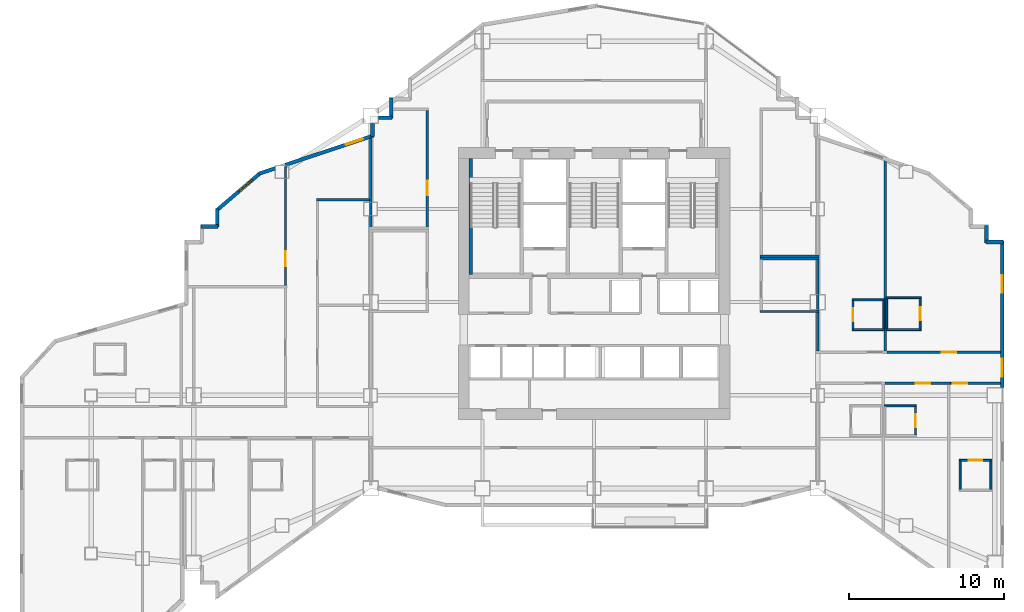
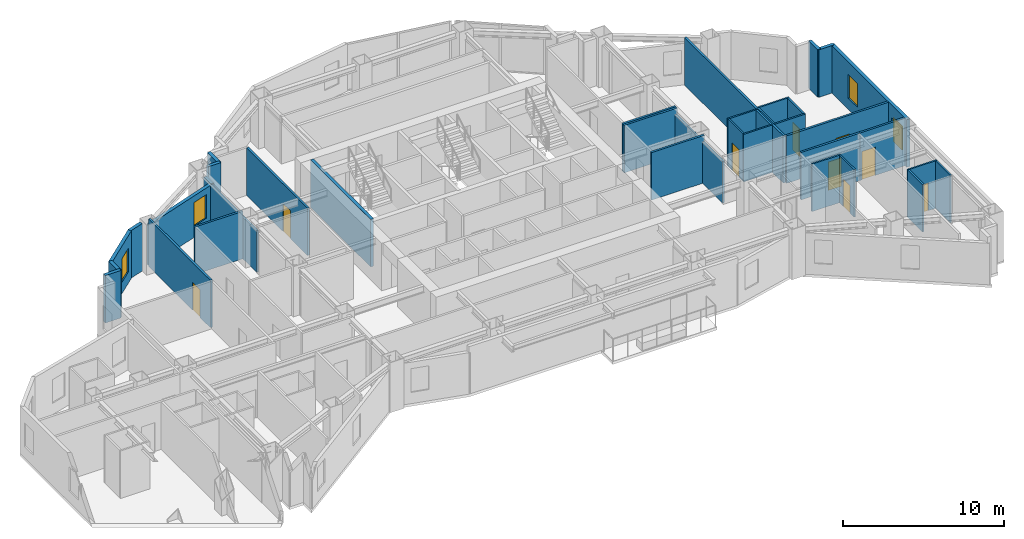
# One storey, part 9 of 13: 38 walls, 9 doors, 4 windows, 13 openings.
"""IFC4 building model written with IfcOpenShell, lengths in metres."""

from ifc_helpers import new_model, si_unit, direction, frame, frame_2d, origin, place, context, subcontext, project, spatial, rectangle, extrude, material, layer, layer_set, type_object, element, fill, save


model = new_model("IFC4")

# Units and contexts
model_context = context("Model", 3, precision=1e-05, world=origin(), true_north=direction((0.0, 1.0)))
body_context = subcontext(model_context, "Body", "Model", "MODEL_VIEW")
ifc_project = project(units=[si_unit("LENGTHUNIT", "METRE"), si_unit("AREAUNIT", "SQUARE_METRE"), si_unit("VOLUMEUNIT", "CUBIC_METRE"), si_unit("PLANEANGLEUNIT", "RADIAN"), si_unit("MASSUNIT", "GRAM", prefix="KILO")], contexts=[model_context])

# Site, building, storey
site_placement = place(None, origin())
site = spatial("IfcSite", under=ifc_project, at=site_placement, CompositionType="ELEMENT")
building_placement = place(site_placement, origin())
building = spatial("IfcBuilding", under=site, at=building_placement, Name="Haolan Belvedere Tower", CompositionType="ELEMENT")
storey_placement = place(building_placement, frame((0.0, 0.0, 128.800048828125)))
storey = spatial("IfcBuildingStorey", under=building, at=storey_placement, Name="L32", CompositionType="ELEMENT", Elevation=128.800048828125)

# Wall, openings, windows
ifc_material_1 = material(Name="Precast concrete C40/50", Category="concrete")
ifc_layer_1 = layer(ifc_material_1, 0.239990234375, Name="Precast concrete C40/50")
ifc_layer_set_1 = layer_set([ifc_layer_1], Name="Precast concrete C40/50")
wall_type_1 = type_object("IfcWallType", Name="WL-EXT-240", PredefinedType="SOLIDWALL", material=ifc_layer_set_1)
wall_1_placement = place(storey_placement, frame((64.679931640625, 28.092041015625, 0.0), z_axis=(0.0, 0.0, 1.0), x_axis=(0.0, 1.0, 0.0)))
wall_1 = element("IfcWall", 1, at=wall_1_placement, inside=storey, type_object=wall_type_1, Name="L32 pale-metal exterior spandrel wall 14.2", PredefinedType="SOLIDWALL", context=body_context, shape_type="SweptSolid", body=[
    extrude(rectangle(XDim=9.44287109375, YDim=0.239990234375, at=frame_2d((4.721435546875, 0.0))), origin(), (0.0, 0.0, 1.0), 3.599853515625),
])
opening_1_placement = place(wall_1_placement, frame((0.699951171875, 0.0, 0.85009765625)))
opening_1 = element("IfcOpeningElement", 2, at=opening_1_placement, cuts=wall_1, Name="Opening W-02", PredefinedType="OPENING", context=body_context, shape_type="SweptSolid", body=[
    extrude(rectangle(XDim=1.14990234375, YDim=1.800048828125, at=frame_2d((0.574951171875, 0.89990234375))), frame((0.0, 0.1298828125, 0.0), z_axis=(0.0, -1.0, 0.0), x_axis=(1.0, 0.0, 0.0)), (0.0, 0.0, 1.0), 0.260009765625),
])
opening_2_placement = place(wall_1_placement, frame((6.10009765625, 0.0, 0.85009765625)))
opening_2 = element("IfcOpeningElement", 3, at=opening_2_placement, cuts=wall_1, Name="Opening W-02", PredefinedType="OPENING", context=body_context, shape_type="SweptSolid", body=[
    extrude(rectangle(XDim=1.14990234375, YDim=1.800048828125, at=frame_2d((0.574951171875, 0.89990234375))), frame((0.0, 0.1298828125, 0.0), z_axis=(0.0, -1.0, 0.0), x_axis=(1.0, 0.0, 0.0)), (0.0, 0.0, 1.0), 0.260009765625),
])
ifc_material_2 = material(Name="Anodised aluminium 6063-T6 and Low-E glass", Category="aluminium")
window_type = type_object("IfcWindowType", Name="WN-DECO-Z2", PartitioningType="SINGLE_PANEL", PredefinedType="WINDOW", material=ifc_material_2)
window_1_placement = place(opening_1_placement, origin())
window_1 = element("IfcWindow", 4, at=window_1_placement, inside=storey, type_object=window_type, Name="L32 Art Deco chevron window 1", OverallHeight=1.800048828125, OverallWidth=1.14990234375, PartitioningType="SINGLE_PANEL", PredefinedType="WINDOW", context=body_context, shape_type="SweptSolid", body=[
    extrude(rectangle(XDim=1.14990234375, YDim=1.800048828125, at=frame_2d((0.574951171875, 0.89990234375))), frame((0.0, 0.030029296875, 0.0), z_axis=(0.0, -1.0, 0.0), x_axis=(1.0, 0.0, 0.0)), (0.0, 0.0, 1.0), 0.06005859375),
])
fill(opening_1, window_1)
window_2_placement = place(opening_2_placement, origin())
window_2 = element("IfcWindow", 5, at=window_2_placement, inside=storey, type_object=window_type, Name="L32 Art Deco chevron window 2", OverallHeight=1.800048828125, OverallWidth=1.14990234375, PartitioningType="SINGLE_PANEL", PredefinedType="WINDOW", context=body_context, shape_type="SweptSolid", body=[
    extrude(rectangle(XDim=1.14990234375, YDim=1.800048828125, at=frame_2d((0.574951171875, 0.89990234375))), frame((0.0, 0.030029296875, 0.0), z_axis=(0.0, -1.0, 0.0), x_axis=(1.0, 0.0, 0.0)), (0.0, 0.0, 1.0), 0.06005859375),
])
fill(opening_2, window_2)

# Walls
wall_2_placement = place(storey_placement, frame((64.735107421875, 37.47998046875, 0.0), z_axis=(0.0, 0.0, 1.0), x_axis=(-1.0, 0.0, 0.0)))
element("IfcWall", 6, at=wall_2_placement, inside=storey, type_object=wall_type_1, Name="L32 pale-metal exterior spandrel wall 15.1", PredefinedType="SOLIDWALL", context=body_context, shape_type="SweptSolid", body=[
    extrude(rectangle(XDim=1.110107421875, YDim=0.239990234375, at=frame_2d((0.55517578125, 0.0))), origin(), (0.0, 0.0, 1.0), 3.599853515625),
])
wall_3_placement = place(storey_placement, frame((63.679931640625, 37.425048828125, 0.0), z_axis=(0.0, 0.0, 1.0), x_axis=(0.0, 1.0, 0.0)))
element("IfcWall", 7, at=wall_3_placement, inside=storey, type_object=wall_type_1, Name="L32 pale-metal exterior spandrel wall 16.1", PredefinedType="SOLIDWALL", context=body_context, shape_type="SweptSolid", body=[
    extrude(rectangle(XDim=1.10986328125, YDim=0.239990234375, at=frame_2d((0.554931640625, 0.0))), origin(), (0.0, 0.0, 1.0), 3.599853515625),
])
wall_4_placement = place(storey_placement, frame((25.320068359375, 46.735107421875, 0.0), z_axis=(0.0, 0.0, 1.0), x_axis=(0.0, -1.0, 0.0)))
element("IfcWall", 8, at=wall_4_placement, inside=storey, type_object=wall_type_1, Name="L32 pale-metal exterior spandrel wall 32.1", PredefinedType="SOLIDWALL", context=body_context, shape_type="SweptSolid", body=[
    extrude(rectangle(XDim=1.31005859375, YDim=0.239990234375, at=frame_2d((0.655029296875, 0.0))), origin(), (0.0, 0.0, 1.0), 3.599853515625),
])
wall_5_placement = place(storey_placement, frame((25.375, 45.47998046875, 0.0), z_axis=(0.0, 0.0, 1.0), x_axis=(-1.0, 0.0, 0.0)))
element("IfcWall", 9, at=wall_5_placement, inside=storey, type_object=wall_type_1, Name="L32 pale-metal exterior spandrel wall 33.1", PredefinedType="SOLIDWALL", context=body_context, shape_type="SweptSolid", body=[
    extrude(rectangle(XDim=0.883056640625, YDim=0.239990234375, at=frame_2d((0.44140625, 0.0))), origin(), (0.0, 0.0, 1.0), 3.599853515625),
])
wall_6_placement = place(storey_placement, frame((24.1201171875, 45.10791015625, 0.0), z_axis=(0.0, 0.0, 1.0), x_axis=(0.0, -1.0, 0.0)))
element("IfcWall", 10, at=wall_6_placement, inside=storey, type_object=wall_type_1, Name="L32 pale-metal exterior spandrel wall 34.1", PredefinedType="SOLIDWALL", context=body_context, shape_type="SweptSolid", body=[
    extrude(rectangle(XDim=0.849365234375, YDim=0.239990234375, at=frame_2d((0.4248046875, 0.0))), origin(), (0.0, 0.0, 1.0), 3.14501953125),
])

# Wall, opening, window
wall_7_placement = place(storey_placement, frame((24.172119140625, 44.330810546875, 0.0), z_axis=(0.0, 0.0, 1.0), x_axis=(-0.948683298051, -0.316227766017, 0.0)))
wall_7 = element("IfcWall", 11, at=wall_7_placement, inside=storey, type_object=wall_type_1, Name="L32 pale-metal exterior spandrel wall 35.1", PredefinedType="SOLIDWALL", context=body_context, shape_type="SweptSolid", body=[
    extrude(rectangle(XDim=5.973388671875, YDim=0.239990234375, at=frame_2d((2.98681640625, 0.0))), origin(), (0.0, 0.0, 1.0), 3.14501953125),
])
opening_3_placement = place(wall_7_placement, frame((0.699951171875, 0.0, 0.85009765625)))
opening_3 = element("IfcOpeningElement", 12, at=opening_3_placement, cuts=wall_7, Name="Opening W-02", PredefinedType="OPENING", context=body_context, shape_type="SweptSolid", body=[
    extrude(rectangle(XDim=1.14990234375, YDim=1.800048828125, at=frame_2d((0.574951171875, 0.89990234375))), frame((0.0, 0.1298828125, 0.0), z_axis=(0.0, -1.0, 0.0), x_axis=(1.0, 0.0, 0.0)), (0.0, 0.0, 1.0), 0.260009765625),
])
window_3_placement = place(opening_3_placement, origin())
window_3 = element("IfcWindow", 13, at=window_3_placement, inside=storey, type_object=window_type, Name="L32 Art Deco chevron window 1", OverallHeight=1.800048828125, OverallWidth=1.14990234375, PartitioningType="SINGLE_PANEL", PredefinedType="WINDOW", context=body_context, shape_type="SweptSolid", body=[
    extrude(rectangle(XDim=1.14990234375, YDim=1.800048828125, at=frame_2d((0.574951171875, 0.89990234375))), frame((0.0, 0.030029296875, 0.0), z_axis=(0.0, -1.0, 0.0), x_axis=(1.0, 0.0, 0.0)), (0.0, 0.0, 1.0), 0.06005859375),
])
fill(opening_3, window_3)

# Wall
wall_8_placement = place(storey_placement, frame((17.85791015625, 42.226318359375, 0.0), z_axis=(0.0, 0.0, 1.0), x_axis=(-0.948639166064, -0.316360131194, 0.0)))
element("IfcWall", 14, at=wall_8_placement, inside=storey, type_object=wall_type_1, Name="L32 pale-metal exterior spandrel wall 35.2", PredefinedType="SOLIDWALL", context=body_context, shape_type="SweptSolid", body=[
    extrude(rectangle(XDim=1.106689453125, YDim=0.239990234375, at=frame_2d((0.55322265625, 0.0))), origin(), (0.0, 0.0, 1.0), 3.599853515625),
])

# Wall, opening, window
wall_9_placement = place(storey_placement, frame((16.902099609375, 41.929443359375, 0.0), z_axis=(0.0, 0.0, 1.0), x_axis=(-0.759275136126, -0.650769750112, 0.0)))
wall_9 = element("IfcWall", 15, at=wall_9_placement, inside=storey, type_object=wall_type_1, Name="L32 pale-metal exterior spandrel wall 36.1", PredefinedType="SOLIDWALL", context=body_context, shape_type="SweptSolid", body=[
    extrude(rectangle(XDim=3.71923828125, YDim=0.239990234375, at=frame_2d((1.859619140625, 0.0))), origin(), (0.0, 0.0, 1.0), 3.599853515625),
])
opening_4_placement = place(wall_9_placement, frame((0.699951171875, 0.0, 0.85009765625)))
opening_4 = element("IfcOpeningElement", 16, at=opening_4_placement, cuts=wall_9, Name="Opening W-02", PredefinedType="OPENING", context=body_context, shape_type="SweptSolid", body=[
    extrude(rectangle(XDim=1.14990234375, YDim=1.800048828125, at=frame_2d((0.574951171875, 0.89990234375))), frame((0.0, 0.1298828125, 0.0), z_axis=(0.0, -1.0, 0.0), x_axis=(1.0, 0.0, 0.0)), (0.0, 0.0, 1.0), 0.260009765625),
])
window_4_placement = place(opening_4_placement, origin())
window_4 = element("IfcWindow", 17, at=window_4_placement, inside=storey, type_object=window_type, Name="L32 Art Deco chevron window 1", OverallHeight=1.800048828125, OverallWidth=1.14990234375, PartitioningType="SINGLE_PANEL", PredefinedType="WINDOW", context=body_context, shape_type="SweptSolid", body=[
    extrude(rectangle(XDim=1.14990234375, YDim=1.800048828125, at=frame_2d((0.574951171875, 0.89990234375))), frame((0.0, 0.030029296875, 0.0), z_axis=(0.0, -1.0, 0.0), x_axis=(1.0, 0.0, 0.0)), (0.0, 0.0, 1.0), 0.06005859375),
])
fill(opening_4, window_4)

# Walls
wall_10_placement = place(storey_placement, frame((14.1201171875, 39.599853515625, 0.0), z_axis=(0.0, 0.0, 1.0), x_axis=(0.0, -1.0, 0.0)))
element("IfcWall", 18, at=wall_10_placement, inside=storey, type_object=wall_type_1, Name="L32 pale-metal exterior spandrel wall 37.1", PredefinedType="SOLIDWALL", context=body_context, shape_type="SweptSolid", body=[
    extrude(rectangle(XDim=1.1748046875, YDim=0.239990234375, at=frame_2d((0.58740234375, 0.0))), origin(), (0.0, 0.0, 1.0), 3.599853515625),
])
wall_11_placement = place(storey_placement, frame((14.175048828125, 38.47998046875, 0.0), z_axis=(0.0, 0.0, 1.0), x_axis=(-1.0, 0.0, 0.0)))
element("IfcWall", 19, at=wall_11_placement, inside=storey, type_object=wall_type_1, Name="L32 pale-metal exterior spandrel wall 38.1", PredefinedType="SOLIDWALL", context=body_context, shape_type="SweptSolid", body=[
    extrude(rectangle(XDim=1.110107421875, YDim=0.239990234375, at=frame_2d((0.55517578125, 0.0))), origin(), (0.0, 0.0, 1.0), 3.599853515625),
])
ifc_material_3 = material(Name="Double gypsum acoustic stud partition", Category="masonry")
ifc_layer_2 = layer(ifc_material_3, 0.14990234375, Name="Double gypsum acoustic stud partition")
ifc_layer_set_2 = layer_set([ifc_layer_2], Name="Double gypsum acoustic stud partition")
wall_type_2 = type_object("IfcWallType", Name="WL-PART-150", PredefinedType="PARTITIONING", material=ifc_layer_set_2)
wall_12_placement = place(storey_placement, frame((24.0, 38.419921875, 0.0), z_axis=(0.0, 0.0, 1.0), x_axis=(0.0, 1.0, 0.0)))
element("IfcWall", 20, at=wall_12_placement, inside=storey, type_object=wall_type_2, Name="L32 interior partition IW-L32-VLT-W", PredefinedType="PARTITIONING", context=body_context, shape_type="SweptSolid", body=[
    extrude(rectangle(XDim=5.742919921875, YDim=0.14990234375, at=frame_2d((2.87158203125, 0.0))), origin(), (0.0, 0.0, 1.0), 3.14501953125),
])

# Wall, opening, door
wall_13_placement = place(storey_placement, frame((27.639892578125, 38.419921875, 0.0), z_axis=(0.0, 0.0, 1.0), x_axis=(0.0, 1.0, 0.0)))
wall_13 = element("IfcWall", 21, at=wall_13_placement, inside=storey, type_object=wall_type_2, Name="L32 interior partition IW-L32-VLT-E", PredefinedType="PARTITIONING", context=body_context, shape_type="SweptSolid", body=[
    extrude(rectangle(XDim=7.5400390625, YDim=0.14990234375, at=frame_2d((3.77001953125, 0.0))), origin(), (0.0, 0.0, 1.0), 3.599853515625),
])
opening_5_placement = place(wall_13_placement, frame((3.010009765625, 0.0, 0.0), z_axis=(0.0, 0.0, 1.0), x_axis=(-1.0, 0.0, 0.0)))
opening_5 = element("IfcOpeningElement", 22, at=opening_5_placement, cuts=wall_13, Name="Opening ID-03", PredefinedType="OPENING", context=body_context, shape_type="SweptSolid", body=[
    extrude(rectangle(XDim=0.949951171875, YDim=2.1201171875, at=frame_2d((0.47509765625, 1.06005859375))), frame((0.0, 0.0849609375, 0.0), z_axis=(0.0, -1.0, 0.0), x_axis=(1.0, 0.0, 0.0)), (0.0, 0.0, 1.0), 0.169921875),
])
ifc_material_4 = material(Name="Painted solid-core timber", Category="wood")
door_type_1 = type_object("IfcDoorType", Name="DR-INT-950", OperationType="NOTDEFINED", PredefinedType="DOOR", material=ifc_material_4)
door_1_placement = place(opening_5_placement, origin())
door_1 = element("IfcDoor", 23, at=door_1_placement, inside=storey, type_object=door_type_1, Name="L32 door ID-L32-VLT", OperationType="SINGLE_SWING_RIGHT", OverallHeight=2.1201171875, OverallWidth=0.949951171875, PredefinedType="DOOR", context=body_context, shape_type="SweptSolid", body=[
    extrude(rectangle(XDim=0.949951171875, YDim=2.1201171875, at=frame_2d((0.47509765625, 1.06005859375))), frame((0.0, 0.02490234375, 0.0), z_axis=(0.0, -1.0, 0.0), x_axis=(1.0, 0.0, 0.0)), (0.0, 0.0, 1.0), 0.050048828125),
])
fill(opening_5, door_1)

# Walls
for number, where, z_axis, x_axis, name in (
    (24, (49.080078125, 36.39990234375, 0.0), (0.0, 0.0, 1.0), (1.0, 0.0, 0.0), "L32 interior partition IW-L32-AWC-N"),
    (25, (49.080078125, 33.0, 0.0), (0.0, 0.0, 1.0), (1.0, 0.0, 0.0), "L32 interior partition IW-L32-AWC-S"),
):
    element("IfcWall", number, at=place(storey_placement, frame(where, z_axis=z_axis, x_axis=x_axis)), inside=storey, type_object=wall_type_2, Name=name, PredefinedType="PARTITIONING", context=body_context, shape_type="SweptSolid", body=[
        extrude(rectangle(XDim=3.7998046875, YDim=0.14990234375, at=frame_2d((1.89990234375, 0.0))), origin(), (0.0, 0.0, 1.0), 3.599853515625),
    ])
wall_14_placement = place(storey_placement, frame((52.800048828125, 33.06005859375, 0.0), z_axis=(0.0, 0.0, 1.0), x_axis=(0.0, 1.0, 0.0)))
element("IfcWall", 26, at=wall_14_placement, inside=storey, type_object=wall_type_2, Name="L32 interior partition IW-L32-AWC-E", PredefinedType="PARTITIONING", context=body_context, shape_type="SweptSolid", body=[
    extrude(rectangle(XDim=3.280029296875, YDim=0.14990234375, at=frame_2d((1.64013671875, 0.0))), origin(), (0.0, 0.0, 1.0), 3.14501953125),
])
wall_15_placement = place(storey_placement, frame((49.080078125, 36.56005859375, 0.0), z_axis=(0.0, 0.0, 1.0), x_axis=(1.0, 0.0, 0.0)))
element("IfcWall", 27, at=wall_15_placement, inside=storey, type_object=wall_type_2, Name="L32 interior partition IW-L32-SAL-S", PredefinedType="PARTITIONING", context=body_context, shape_type="SweptSolid", body=[
    extrude(rectangle(XDim=3.7998046875, YDim=0.14990234375, at=frame_2d((1.89990234375, 0.0))), origin(), (0.0, 0.0, 1.0), 3.599853515625),
])

# Wall, opening, door
wall_16_placement = place(storey_placement, frame((18.52001953125, 34.659912109375, 0.0), z_axis=(0.0, 0.0, 1.0), x_axis=(0.0, 1.0, 0.0)))
wall_16 = element("IfcWall", 28, at=wall_16_placement, inside=storey, type_object=wall_type_2, Name="L32 interior partition IW-L32-T2W2-E", PredefinedType="PARTITIONING", context=body_context, shape_type="SweptSolid", body=[
    extrude(rectangle(XDim=7.67626953125, YDim=0.14990234375, at=frame_2d((3.838134765625, 0.0))), origin(), (0.0, 0.0, 1.0), 3.599853515625),
])
opening_6_placement = place(wall_16_placement, frame((2.21484375, 0.0, 0.0), z_axis=(0.0, 0.0, 1.0), x_axis=(-1.0, 0.0, 0.0)))
opening_6 = element("IfcOpeningElement", 29, at=opening_6_placement, cuts=wall_16, Name="Opening ID-03", PredefinedType="OPENING", context=body_context, shape_type="SweptSolid", body=[
    extrude(rectangle(XDim=0.949951171875, YDim=2.1201171875, at=frame_2d((0.47509765625, 1.06005859375))), frame((0.0, 0.0849609375, 0.0), z_axis=(0.0, -1.0, 0.0), x_axis=(1.0, 0.0, 0.0)), (0.0, 0.0, 1.0), 0.169921875),
])
door_2_placement = place(opening_6_placement, origin())
door_2 = element("IfcDoor", 30, at=door_2_placement, inside=storey, type_object=door_type_1, Name="L32 door ID-L32-T2W2", OperationType="SINGLE_SWING_LEFT", OverallHeight=2.1201171875, OverallWidth=0.949951171875, PredefinedType="DOOR", context=body_context, shape_type="SweptSolid", body=[
    extrude(rectangle(XDim=0.949951171875, YDim=2.1201171875, at=frame_2d((0.47509765625, 1.06005859375))), frame((0.0, 0.02490234375, 0.0), z_axis=(0.0, -1.0, 0.0), x_axis=(1.0, 0.0, 0.0)), (0.0, 0.0, 1.0), 0.050048828125),
])
fill(opening_6, door_2)

# Walls
wall_17_placement = place(storey_placement, frame((20.5, 40.199951171875, 0.0), z_axis=(0.0, 0.0, 1.0), x_axis=(1.0, 0.0, 0.0)))
element("IfcWall", 31, at=wall_17_placement, inside=storey, type_object=wall_type_2, Name="L32 interior partition IW-L32-T2E2-N", PredefinedType="PARTITIONING", context=body_context, shape_type="SweptSolid", body=[
    extrude(rectangle(XDim=3.43994140625, YDim=0.14990234375, at=frame_2d((1.719970703125, 0.0))), origin(), (0.0, 0.0, 1.0), 3.599853515625),
])
wall_18_placement = place(storey_placement, frame((52.800048828125, 30.43994140625, 0.0), z_axis=(0.0, 0.0, 1.0), x_axis=(0.0, 1.0, 0.0)))
element("IfcWall", 32, at=wall_18_placement, inside=storey, type_object=wall_type_2, Name="L32 interior partition IW-L32-T4N1-W", PredefinedType="PARTITIONING", context=body_context, shape_type="SweptSolid", body=[
    extrude(rectangle(XDim=2.5, YDim=0.14990234375, at=frame_2d((1.25, 0.0))), origin(), (0.0, 0.0, 1.0), 3.14501953125),
])
wall_19_placement = place(storey_placement, frame((57.14990234375, 30.43994140625, 0.0), z_axis=(0.0, 0.0, 1.0), x_axis=(0.0, 1.0, 0.0)))
element("IfcWall", 33, at=wall_19_placement, inside=storey, type_object=wall_type_2, Name="L32 interior partition IW-L32-T4N1-E", PredefinedType="PARTITIONING", context=body_context, shape_type="SweptSolid", body=[
    extrude(rectangle(XDim=12.27294921875, YDim=0.14990234375, at=frame_2d((6.136474609375, 0.0))), origin(), (0.0, 0.0, 1.0), 3.599853515625),
])

# Wall, opening, door
wall_20_placement = place(storey_placement, frame((57.251953125, 30.3798828125, 0.0), z_axis=(0.0, 0.0, 1.0), x_axis=(1.0, 0.0, 0.0)))
wall_20 = element("IfcWall", 34, at=wall_20_placement, inside=storey, type_object=wall_type_2, Name="L32 interior partition IW-L32-T4N2-S", PredefinedType="PARTITIONING", context=body_context, shape_type="SweptSolid", body=[
    extrude(rectangle(XDim=7.322998046875, YDim=0.14990234375, at=frame_2d((3.66162109375, 0.0))), origin(), (0.0, 0.0, 1.0), 3.599853515625),
])
opening_7_placement = place(wall_20_placement, frame((3.53662109375, 0.0, 0.0)))
opening_7 = element("IfcOpeningElement", 35, at=opening_7_placement, cuts=wall_20, Name="Opening ID-01", PredefinedType="OPENING", context=body_context, shape_type="SweptSolid", body=[
    extrude(rectangle(XDim=0.949951171875, YDim=2.179931640625, at=frame_2d((0.47509765625, 1.08984375))), frame((0.0, 0.0849609375, 0.0), z_axis=(0.0, -1.0, 0.0), x_axis=(1.0, 0.0, 0.0)), (0.0, 0.0, 1.0), 0.169921875),
])
ifc_material_5 = material(Name="Acoustic walnut veneer fire-rated timber", Category="wood")
door_type_2 = type_object("IfcDoorType", Name="DR-SUITE-950", OperationType="NOTDEFINED", PredefinedType="DOOR", material=ifc_material_5)
door_3_placement = place(opening_7_placement, origin())
door_3 = element("IfcDoor", 36, at=door_3_placement, inside=storey, type_object=door_type_2, Name="L32 door ID-L32-T4N2-ENT", OperationType="SINGLE_SWING_RIGHT", OverallHeight=2.179931640625, OverallWidth=0.949951171875, PredefinedType="DOOR", context=body_context, shape_type="SweptSolid", body=[
    extrude(rectangle(XDim=0.949951171875, YDim=2.179931640625, at=frame_2d((0.47509765625, 1.08984375))), frame((0.0, 0.02490234375, 0.0), z_axis=(0.0, -1.0, 0.0), x_axis=(1.0, 0.0, 0.0)), (0.0, 0.0, 1.0), 0.050048828125),
])
fill(opening_7, door_3)

wall_21_placement = place(storey_placement, frame((57.1220703125, 28.3701171875, 0.0), z_axis=(0.0, 0.0, 1.0), x_axis=(1.0, 0.0, 0.0)))
wall_21 = element("IfcWall", 37, at=wall_21_placement, inside=storey, type_object=wall_type_2, Name="L32 interior partition IW-L32-T4S2-N", PredefinedType="PARTITIONING", context=body_context, shape_type="SweptSolid", body=[
    extrude(rectangle(XDim=4.22802734375, YDim=0.14990234375, at=frame_2d((2.114013671875, 0.0))), origin(), (0.0, 0.0, 1.0), 3.599853515625),
])
opening_8_placement = place(wall_21_placement, frame((2.93359375, 0.0, 0.0), z_axis=(0.0, 0.0, 1.0), x_axis=(-1.0, 0.0, 0.0)))
opening_8 = element("IfcOpeningElement", 38, at=opening_8_placement, cuts=wall_21, Name="Opening ID-02", PredefinedType="OPENING", context=body_context, shape_type="SweptSolid", body=[
    extrude(rectangle(XDim=0.949951171875, YDim=2.14990234375, at=frame_2d((0.47509765625, 1.074951171875))), frame((0.0, 0.0849609375, 0.0), z_axis=(0.0, -1.0, 0.0), x_axis=(1.0, 0.0, 0.0)), (0.0, 0.0, 1.0), 0.169921875),
])
ifc_material_6 = material(Name="Acoustic oak veneer fire-rated timber", Category="wood")
door_type_3 = type_object("IfcDoorType", Name="DR-GUEST-950", OperationType="NOTDEFINED", PredefinedType="DOOR", material=ifc_material_6)
door_4_placement = place(opening_8_placement, origin())
door_4 = element("IfcDoor", 39, at=door_4_placement, inside=storey, type_object=door_type_3, Name="L32 door ID-L32-T4S2-ENT", OperationType="SINGLE_SWING_RIGHT", OverallHeight=2.14990234375, OverallWidth=0.949951171875, PredefinedType="DOOR", context=body_context, shape_type="SweptSolid", body=[
    extrude(rectangle(XDim=0.949951171875, YDim=2.14990234375, at=frame_2d((0.47509765625, 1.074951171875))), frame((0.0, 0.02490234375, 0.0), z_axis=(0.0, -1.0, 0.0), x_axis=(1.0, 0.0, 0.0)), (0.0, 0.0, 1.0), 0.050048828125),
])
fill(opening_8, door_4)

wall_22_placement = place(storey_placement, frame((61.35205078125, 28.3701171875, 0.0), z_axis=(0.0, 0.0, 1.0), x_axis=(1.0, 0.0, 0.0)))
wall_22 = element("IfcWall", 40, at=wall_22_placement, inside=storey, type_object=wall_type_2, Name="L32 interior partition IW-L32-T4S3-N", PredefinedType="PARTITIONING", context=body_context, shape_type="SweptSolid", body=[
    extrude(rectangle(XDim=3.222900390625, YDim=0.14990234375, at=frame_2d((1.611328125, 0.0))), origin(), (0.0, 0.0, 1.0), 3.599853515625),
])
opening_9_placement = place(wall_22_placement, frame((1.08984375, 0.0, 0.0), z_axis=(0.0, 0.0, 1.0), x_axis=(-1.0, 0.0, 0.0)))
opening_9 = element("IfcOpeningElement", 41, at=opening_9_placement, cuts=wall_22, Name="Opening ID-02", PredefinedType="OPENING", context=body_context, shape_type="SweptSolid", body=[
    extrude(rectangle(XDim=0.949951171875, YDim=2.14990234375, at=frame_2d((0.47509765625, 1.074951171875))), frame((0.0, 0.0849609375, 0.0), z_axis=(0.0, -1.0, 0.0), x_axis=(1.0, 0.0, 0.0)), (0.0, 0.0, 1.0), 0.169921875),
])
door_5_placement = place(opening_9_placement, origin())
door_5 = element("IfcDoor", 42, at=door_5_placement, inside=storey, type_object=door_type_3, Name="L32 door ID-L32-T4S3-ENT", OperationType="SINGLE_SWING_LEFT", OverallHeight=2.14990234375, OverallWidth=0.949951171875, PredefinedType="DOOR", context=body_context, shape_type="SweptSolid", body=[
    extrude(rectangle(XDim=0.949951171875, YDim=2.14990234375, at=frame_2d((0.47509765625, 1.074951171875))), frame((0.0, 0.02490234375, 0.0), z_axis=(0.0, -1.0, 0.0), x_axis=(1.0, 0.0, 0.0)), (0.0, 0.0, 1.0), 0.050048828125),
])
fill(opening_9, door_5)

# Walls
ifc_material_7 = material(Name="Concrete C50/60", Category="concrete")
ifc_layer_3 = layer(ifc_material_7, 0.219970703125, Name="Concrete C50/60")
ifc_layer_set_3 = layer_set([ifc_layer_3], Name="Concrete C50/60")
wall_type_3 = type_object("IfcWallType", Name="WL-STAIR-220", PredefinedType="SHEAR", material=ifc_layer_set_3)
wall_23_placement = place(storey_placement, frame((30.4619140625, 35.389892578125, 0.0), z_axis=(0.0, 0.0, 1.0), x_axis=(0.0, 1.0, 0.0)))
element("IfcWall", 43, at=wall_23_placement, inside=storey, type_object=wall_type_3, Name="L32 structural stair core wall ST1W", PredefinedType="SHEAR", context=body_context, shape_type="SweptSolid", body=[
    extrude(rectangle(XDim=7.460205078125, YDim=0.219970703125, at=frame_2d((3.72998046875, 0.0))), origin(), (0.0, 0.0, 1.0), 3.599853515625),
])
ifc_material_8 = material(Name="Moisture-resistant gypsum tile partition", Category="masonry")
ifc_layer_4 = layer(ifc_material_8, 0.1201171875, Name="Moisture-resistant gypsum tile partition")
ifc_layer_set_4 = layer_set([ifc_layer_4], Name="Moisture-resistant gypsum tile partition")
wall_type_4 = type_object("IfcWallType", Name="WL-WET-120", PredefinedType="PARTITIONING", material=ifc_layer_set_4)
for number, where, z_axis, x_axis, name in (
    (44, (55.010009765625, 33.75, 0.0), (0.0, 0.0, 1.0), (1.0, 0.0, 0.0), "L32 interior partition IW-L32-T4N1-BN"),
    (45, (55.010009765625, 31.830078125, 0.0), (0.0, 0.0, 1.0), (1.0, 0.0, 0.0), "L32 interior partition IW-L32-T4N1-BS"),
):
    element("IfcWall", number, at=place(storey_placement, frame(where, z_axis=z_axis, x_axis=x_axis)), inside=storey, type_object=wall_type_4, Name=name, PredefinedType="PARTITIONING", context=body_context, shape_type="SweptSolid", body=[
        extrude(rectangle(XDim=2.080078125, YDim=0.1201171875, at=frame_2d((1.0400390625, 0.0))), origin(), (0.0, 0.0, 1.0), 3.599853515625),
    ])

# Wall, opening, door
wall_24_placement = place(storey_placement, frame((55.070068359375, 31.875, 0.0), z_axis=(0.0, 0.0, 1.0), x_axis=(0.0, 1.0, 0.0)))
wall_24 = element("IfcWall", 46, at=wall_24_placement, inside=storey, type_object=wall_type_4, Name="L32 interior partition IW-L32-T4N1-BW", PredefinedType="PARTITIONING", context=body_context, shape_type="SweptSolid", body=[
    extrude(rectangle(XDim=1.830078125, YDim=0.1201171875, at=frame_2d((0.9150390625, 0.0))), origin(), (0.0, 0.0, 1.0), 3.599853515625),
])
opening_10_placement = place(wall_24_placement, frame((1.340087890625, 0.0, 0.0), z_axis=(0.0, 0.0, 1.0), x_axis=(-1.0, 0.0, 0.0)))
opening_10 = element("IfcOpeningElement", 47, at=opening_10_placement, cuts=wall_24, Name="Opening ID-05", PredefinedType="OPENING", context=body_context, shape_type="SweptSolid", body=[
    extrude(rectangle(XDim=0.85009765625, YDim=2.10009765625, at=frame_2d((0.425048828125, 1.050048828125))), frame((0.0, 0.070068359375, 0.0), z_axis=(0.0, -1.0, 0.0), x_axis=(1.0, 0.0, 0.0)), (0.0, 0.0, 1.0), 0.14013671875),
])
ifc_material_9 = material(Name="Moisture-resistant lacquered timber", Category="wood")
door_type_4 = type_object("IfcDoorType", Name="DR-BATH-850", OperationType="NOTDEFINED", PredefinedType="DOOR", material=ifc_material_9)
door_6_placement = place(opening_10_placement, origin())
door_6 = element("IfcDoor", 48, at=door_6_placement, inside=storey, type_object=door_type_4, Name="L32 door ID-L32-T4N1-BATH", OperationType="SINGLE_SWING_RIGHT", OverallHeight=2.10009765625, OverallWidth=0.85009765625, PredefinedType="DOOR", context=body_context, shape_type="SweptSolid", body=[
    extrude(rectangle(XDim=0.85009765625, YDim=2.10009765625, at=frame_2d((0.425048828125, 1.050048828125))), frame((0.0, 0.02490234375, 0.0), z_axis=(0.0, -1.0, 0.0), x_axis=(1.0, 0.0, 0.0)), (0.0, 0.0, 1.0), 0.050048828125),
])
fill(opening_10, door_6)

# Walls
wall_25_placement = place(storey_placement, frame((57.050048828125, 31.875, 0.0), z_axis=(0.0, 0.0, 1.0), x_axis=(0.0, 1.0, 0.0)))
element("IfcWall", 49, at=wall_25_placement, inside=storey, type_object=wall_type_4, Name="L32 interior partition IW-L32-T4N1-BE", PredefinedType="PARTITIONING", context=body_context, shape_type="SweptSolid", body=[
    extrude(rectangle(XDim=1.830078125, YDim=0.1201171875, at=frame_2d((0.9150390625, 0.0))), origin(), (0.0, 0.0, 1.0), 3.599853515625),
])
for number, where, z_axis, x_axis, name in (
    (50, (57.2099609375, 33.8798828125, 0.0), (0.0, 0.0, 1.0), (1.0, 0.0, 0.0), "L32 interior partition IW-L32-T4N2-BN"),
    (51, (57.2099609375, 31.830078125, 0.0), (0.0, 0.0, 1.0), (1.0, 0.0, 0.0), "L32 interior partition IW-L32-T4N2-BS"),
):
    element("IfcWall", number, at=place(storey_placement, frame(where, z_axis=z_axis, x_axis=x_axis)), inside=storey, type_object=wall_type_4, Name=name, PredefinedType="PARTITIONING", context=body_context, shape_type="SweptSolid", body=[
        extrude(rectangle(XDim=2.25, YDim=0.1201171875, at=frame_2d((1.125, 0.0))), origin(), (0.0, 0.0, 1.0), 3.599853515625),
    ])
wall_26_placement = place(storey_placement, frame((57.25, 31.875, 0.0), z_axis=(0.0, 0.0, 1.0), x_axis=(0.0, 1.0, 0.0)))
element("IfcWall", 52, at=wall_26_placement, inside=storey, type_object=wall_type_4, Name="L32 interior partition IW-L32-T4N2-BW", PredefinedType="PARTITIONING", context=body_context, shape_type="SweptSolid", body=[
    extrude(rectangle(XDim=1.9599609375, YDim=0.1201171875, at=frame_2d((0.97998046875, 0.0))), origin(), (0.0, 0.0, 1.0), 3.599853515625),
])

# Wall, opening, door
wall_27_placement = place(storey_placement, frame((59.39990234375, 31.875, 0.0), z_axis=(0.0, 0.0, 1.0), x_axis=(0.0, 1.0, 0.0)))
wall_27 = element("IfcWall", 53, at=wall_27_placement, inside=storey, type_object=wall_type_4, Name="L32 interior partition IW-L32-T4N2-BE", PredefinedType="PARTITIONING", context=body_context, shape_type="SweptSolid", body=[
    extrude(rectangle(XDim=1.9599609375, YDim=0.1201171875, at=frame_2d((0.97998046875, 0.0))), origin(), (0.0, 0.0, 1.0), 3.599853515625),
])
opening_11_placement = place(wall_27_placement, frame((0.554931640625, 0.0, 0.0)))
opening_11 = element("IfcOpeningElement", 54, at=opening_11_placement, cuts=wall_27, Name="Opening ID-05", PredefinedType="OPENING", context=body_context, shape_type="SweptSolid", body=[
    extrude(rectangle(XDim=0.85009765625, YDim=2.10009765625, at=frame_2d((0.425048828125, 1.050048828125))), frame((0.0, 0.070068359375, 0.0), z_axis=(0.0, -1.0, 0.0), x_axis=(1.0, 0.0, 0.0)), (0.0, 0.0, 1.0), 0.14013671875),
])
door_7_placement = place(opening_11_placement, origin())
door_7 = element("IfcDoor", 55, at=door_7_placement, inside=storey, type_object=door_type_4, Name="L32 door ID-L32-T4N2-BATH", OperationType="SINGLE_SWING_LEFT", OverallHeight=2.10009765625, OverallWidth=0.85009765625, PredefinedType="DOOR", context=body_context, shape_type="SweptSolid", body=[
    extrude(rectangle(XDim=0.85009765625, YDim=2.10009765625, at=frame_2d((0.425048828125, 1.050048828125))), frame((0.0, 0.02490234375, 0.0), z_axis=(0.0, -1.0, 0.0), x_axis=(1.0, 0.0, 0.0)), (0.0, 0.0, 1.0), 0.050048828125),
])
fill(opening_11, door_7)

# Wall
wall_28_placement = place(storey_placement, frame((57.080078125, 26.919921875, 0.0), z_axis=(0.0, 0.0, 1.0), x_axis=(1.0, 0.0, 0.0)))
element("IfcWall", 56, at=wall_28_placement, inside=storey, type_object=wall_type_4, Name="L32 interior partition IW-L32-T4S2-BN", PredefinedType="PARTITIONING", context=body_context, shape_type="SweptSolid", body=[
    extrude(rectangle(XDim=2.079833984375, YDim=0.1201171875, at=frame_2d((1.0400390625, 0.0))), origin(), (0.0, 0.0, 1.0), 3.599853515625),
])

# Wall, opening, door
wall_29_placement = place(storey_placement, frame((59.10009765625, 25.044921875, 0.0), z_axis=(0.0, 0.0, 1.0), x_axis=(0.0, 1.0, 0.0)))
wall_29 = element("IfcWall", 57, at=wall_29_placement, inside=storey, type_object=wall_type_4, Name="L32 interior partition IW-L32-T4S2-BE", PredefinedType="PARTITIONING", context=body_context, shape_type="SweptSolid", body=[
    extrude(rectangle(XDim=1.830078125, YDim=0.1201171875, at=frame_2d((0.9150390625, 0.0))), origin(), (0.0, 0.0, 1.0), 3.599853515625),
])
opening_12_placement = place(wall_29_placement, frame((0.489990234375, 0.0, 0.0)))
opening_12 = element("IfcOpeningElement", 58, at=opening_12_placement, cuts=wall_29, Name="Opening ID-05", PredefinedType="OPENING", context=body_context, shape_type="SweptSolid", body=[
    extrude(rectangle(XDim=0.85009765625, YDim=2.10009765625, at=frame_2d((0.425048828125, 1.050048828125))), frame((0.0, 0.070068359375, 0.0), z_axis=(0.0, -1.0, 0.0), x_axis=(1.0, 0.0, 0.0)), (0.0, 0.0, 1.0), 0.14013671875),
])
door_8_placement = place(opening_12_placement, origin())
door_8 = element("IfcDoor", 59, at=door_8_placement, inside=storey, type_object=door_type_4, Name="L32 door ID-L32-T4S2-BATH", OperationType="SINGLE_SWING_LEFT", OverallHeight=2.10009765625, OverallWidth=0.85009765625, PredefinedType="DOOR", context=body_context, shape_type="SweptSolid", body=[
    extrude(rectangle(XDim=0.85009765625, YDim=2.10009765625, at=frame_2d((0.425048828125, 1.050048828125))), frame((0.0, 0.02490234375, 0.0), z_axis=(0.0, -1.0, 0.0), x_axis=(1.0, 0.0, 0.0)), (0.0, 0.0, 1.0), 0.050048828125),
])
fill(opening_12, door_8)

wall_30_placement = place(storey_placement, frame((61.9169921875, 23.409912109375, 0.0), z_axis=(0.0, 0.0, 1.0), x_axis=(1.0, 0.0, 0.0)))
wall_30 = element("IfcWall", 60, at=wall_30_placement, inside=storey, type_object=wall_type_4, Name="L32 interior partition IW-L32-T4S3-BN", PredefinedType="PARTITIONING", context=body_context, shape_type="SweptSolid", body=[
    extrude(rectangle(XDim=2.10009765625, YDim=0.1201171875, at=frame_2d((1.050048828125, 0.0))), origin(), (0.0, 0.0, 1.0), 3.599853515625),
])
opening_13_placement = place(wall_30_placement, frame((1.47509765625, 0.0, 0.0), z_axis=(0.0, 0.0, 1.0), x_axis=(-1.0, 0.0, 0.0)))
opening_13 = element("IfcOpeningElement", 61, at=opening_13_placement, cuts=wall_30, Name="Opening ID-05", PredefinedType="OPENING", context=body_context, shape_type="SweptSolid", body=[
    extrude(rectangle(XDim=0.85009765625, YDim=2.10009765625, at=frame_2d((0.425048828125, 1.050048828125))), frame((0.0, 0.070068359375, 0.0), z_axis=(0.0, -1.0, 0.0), x_axis=(1.0, 0.0, 0.0)), (0.0, 0.0, 1.0), 0.14013671875),
])
door_9_placement = place(opening_13_placement, origin())
door_9 = element("IfcDoor", 62, at=door_9_placement, inside=storey, type_object=door_type_4, Name="L32 door ID-L32-T4S3-BATH", OperationType="SINGLE_SWING_RIGHT", OverallHeight=2.10009765625, OverallWidth=0.85009765625, PredefinedType="DOOR", context=body_context, shape_type="SweptSolid", body=[
    extrude(rectangle(XDim=0.85009765625, YDim=2.10009765625, at=frame_2d((0.425048828125, 1.050048828125))), frame((0.0, 0.02490234375, 0.0), z_axis=(0.0, -1.0, 0.0), x_axis=(1.0, 0.0, 0.0)), (0.0, 0.0, 1.0), 0.050048828125),
])
fill(opening_13, door_9)

# Walls
for number, where, z_axis, x_axis, name in (
    (63, (61.97705078125, 21.534912109375, 0.0), (0.0, 0.0, 1.0), (0.0, 1.0, 0.0), "L32 interior partition IW-L32-T4S3-BW"),
    (64, (63.95703125, 21.534912109375, 0.0), (0.0, 0.0, 1.0), (0.0, 1.0, 0.0), "L32 interior partition IW-L32-T4S3-BE"),
):
    element("IfcWall", number, at=place(storey_placement, frame(where, z_axis=z_axis, x_axis=x_axis)), inside=storey, type_object=wall_type_4, Name=name, PredefinedType="PARTITIONING", context=body_context, shape_type="SweptSolid", body=[
        extrude(rectangle(XDim=1.830078125, YDim=0.1201171875, at=frame_2d((0.9150390625, 0.0))), origin(), (0.0, 0.0, 1.0), 3.599853515625),
    ])

save(model, "model.ifc")
